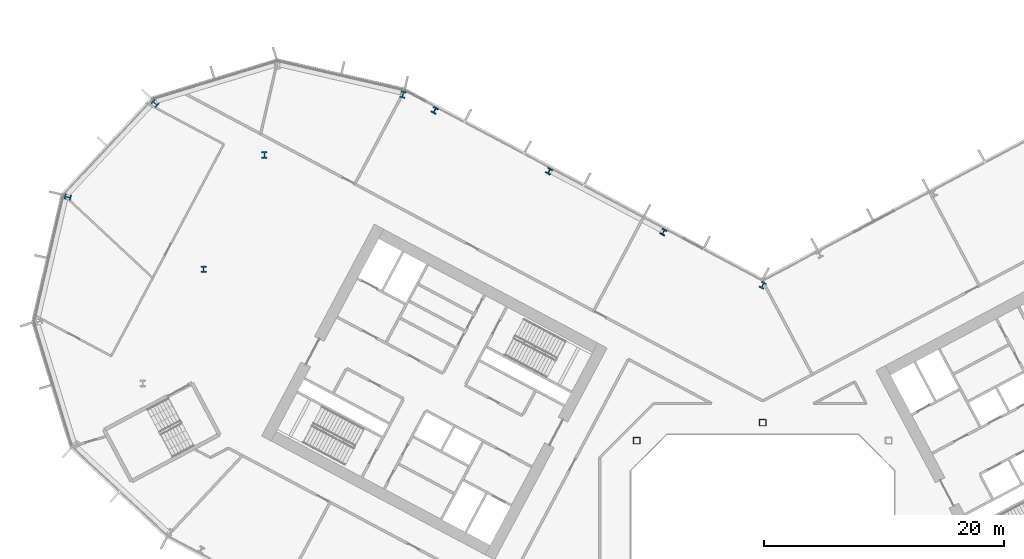
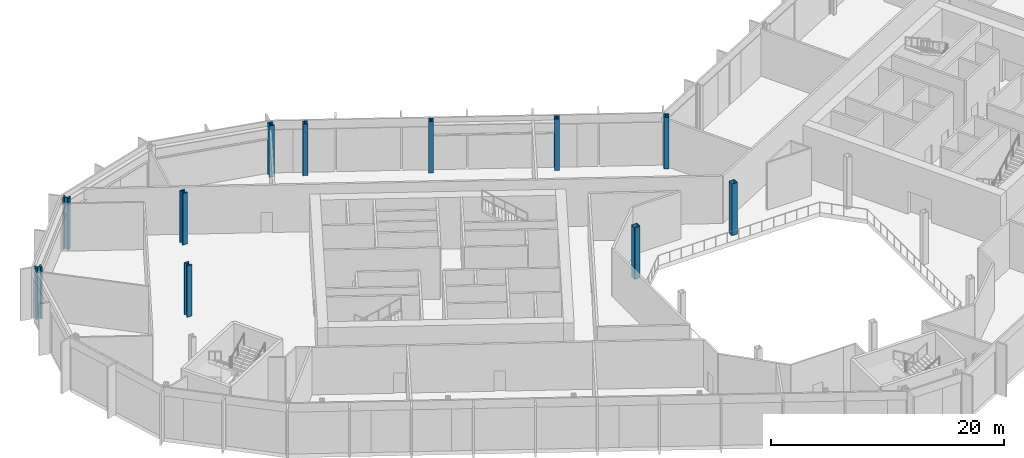
# One storey, part 2 of 32: 11 columns.
"""IFC4 building model written with IfcOpenShell, lengths in metres."""

import ifcopenshell
import ifcopenshell.guid

model = None  # the IFC model being written
_history = None  # IfcOwnerHistory: only IFC2X3 demands one
_inside = {}  # id of a spatial element -> (the spatial element, [elements in it])
_under = {}  # id of a project, library or spatial element -> (it, [spatial elements below it])
_declared = {}  # id of a project -> (the project, [libraries it declares])
_typed = {}  # id of a type object -> (the type object, [elements of that type])
_made_of = {}  # id of a material, layer set ... -> (it, [elements and type objects made of it])


def new_model(schema):
    """Start an empty IFC model of exactly this schema.

    Asked for "IFC4X3", IfcOpenShell would pick the latest addendum, in which some entities
    have other attributes; the version numbers below select the first issue.
    IFC2X3 requires an IfcOwnerHistory on every rooted entity: one is made here for all.
    """
    global model, _history
    if schema == "IFC4X3":
        model = ifcopenshell.file(schema_version=(4, 3, 0, 0))
    else:
        model = ifcopenshell.file(schema=schema)
    _inside.clear()
    _under.clear()
    _declared.clear()
    _typed.clear()
    _made_of.clear()
    _history = None
    if model.schema == "IFC2X3":
        org = make("IfcOrganization", Name="unknown")
        user = make(
            "IfcPersonAndOrganization",
            ThePerson=make("IfcPerson", FamilyName="unknown"),
            TheOrganization=org,
        )
        app = make(
            "IfcApplication",
            ApplicationDeveloper=org,
            Version="unknown",
            ApplicationFullName="unknown",
            ApplicationIdentifier="unknown",
        )
        _history = make(
            "IfcOwnerHistory",
            OwningUser=user,
            OwningApplication=app,
            ChangeAction="ADDED",
            CreationDate=0,
        )
    return model


def make(cls, **values):
    """One entity of the class cls with the attributes given. An attribute that is None is left unset."""
    return model.create_entity(
        cls, **{name: value for name, value in values.items() if value is not None}
    )


def rooted(cls, **values):
    """An entity with a GlobalId (a new one), such as an element, a storey or a relation."""
    return make(cls, GlobalId=ifcopenshell.guid.new(), OwnerHistory=_history, **values)


def si_unit(unit_type, name, prefix=None):
    """IfcSIUnit, for example si_unit("LENGTHUNIT", "METRE", prefix="MILLI")."""
    return make("IfcSIUnit", UnitType=unit_type, Prefix=prefix, Name=name)


def assignment(units):
    """IfcUnitAssignment: the units of a project."""
    return None if units is None else make("IfcUnitAssignment", Units=units)


def point(xyz):
    """IfcCartesianPoint."""
    return None if xyz is None else make("IfcCartesianPoint", Coordinates=xyz)


def direction(xyz):
    """IfcDirection."""
    return None if xyz is None else make("IfcDirection", DirectionRatios=xyz)


def frame(location, z_axis=None, x_axis=None):
    """IfcAxis2Placement3D, a coordinate frame: its origin and axes. An axis left out is left unset."""
    return make(
        "IfcAxis2Placement3D",
        Location=point(location),
        Axis=direction(z_axis),
        RefDirection=direction(x_axis),
    )


def frame_2d(location, x_axis=None):
    """IfcAxis2Placement2D, a coordinate frame in the plane: its origin and x axis."""
    return make(
        "IfcAxis2Placement2D", Location=point(location), RefDirection=direction(x_axis)
    )


def origin():
    """The frame at (0, 0, 0) with its axes left unset."""
    return frame((0.0, 0.0, 0.0))


def origin_2d():
    """The frame at (0, 0) in the plane with its x axis left unset."""
    return frame_2d((0.0, 0.0))


def place(relative_to, where):
    """IfcLocalPlacement: puts the frame where relative to a parent placement (None: the world)."""
    return make(
        "IfcLocalPlacement", PlacementRelTo=relative_to, RelativePlacement=where
    )


def context(
    kind, dimensions, precision=None, world=None, true_north=None, identifier=None
):
    """IfcGeometricRepresentationContext, for example the 3D "Model" context."""
    return make(
        "IfcGeometricRepresentationContext",
        ContextIdentifier=identifier,
        ContextType=kind,
        CoordinateSpaceDimension=dimensions,
        Precision=precision,
        WorldCoordinateSystem=world,
        TrueNorth=true_north,
    )


def subcontext(parent, identifier, kind, view, scale=None):
    """IfcGeometricRepresentationSubContext, for example "Body" below "Model"."""
    return make(
        "IfcGeometricRepresentationSubContext",
        ContextIdentifier=identifier,
        ContextType=kind,
        ParentContext=parent,
        TargetScale=scale,
        TargetView=view,
    )


def project(units=None, contexts=None):
    """IfcProject with its units and contexts."""
    return rooted(
        "IfcProject",
        Name="project",
        RepresentationContexts=contexts,
        UnitsInContext=assignment(units),
    )


def spatial(cls, under=None, at=None, **own):
    """A site, building, storey or space (cls), placed at a placement, below another one or the project."""
    s = rooted(cls, ObjectPlacement=at, **own)
    if under is not None:
        _under.setdefault(under.id(), (under, []))[1].append(s)
    return s


def profile(cls, at=None, kind="AREA", **sizes):
    """A parametric profile (cls). Its sizes go by their IFC names, for example OverallWidth=200.0."""
    return make(cls, ProfileType=kind, Position=at, **sizes)


def hollow_rectangle(**sizes):
    """IfcRectangleHollowProfileDef."""
    return profile("IfcRectangleHollowProfileDef", **sizes)


def i_section(**sizes):
    """IfcIShapeProfileDef."""
    return profile("IfcIShapeProfileDef", **sizes)


def extrude(swept, where, along, depth):
    """IfcExtrudedAreaSolid: the profile swept, set in the frame where, extruded along a direction by depth."""
    return make(
        "IfcExtrudedAreaSolid",
        SweptArea=swept,
        Position=where,
        ExtrudedDirection=direction(along),
        Depth=depth,
    )


def shape(context_of_items, identifier, shape_type, items):
    """IfcShapeRepresentation: the items that make up one representation, for example the "Body"."""
    return make(
        "IfcShapeRepresentation",
        ContextOfItems=context_of_items,
        RepresentationIdentifier=identifier,
        RepresentationType=shape_type,
        Items=items,
    )


def material(Name=None, Category=None):
    """IfcMaterial."""
    return make("IfcMaterial", Name=Name, Category=Category)


def material_profile(
    of_material, cross_section, Name=None, Category=None, Priority=None
):
    """IfcMaterialProfile: a cross section and its material."""
    return make(
        "IfcMaterialProfile",
        Name=Name,
        Material=of_material,
        Profile=cross_section,
        Priority=Priority,
        Category=Category,
    )


def profile_set(profiles, Name=None, composite=None):
    """IfcMaterialProfileSet."""
    return make(
        "IfcMaterialProfileSet",
        Name=Name,
        MaterialProfiles=profiles,
        CompositeProfile=composite,
    )


def made_of(thing, what):
    """Note that an element or type object is made of a material, layer set ...; save() writes the relation."""
    if what is not None:
        _made_of.setdefault(what.id(), (what, []))[1].append(thing)
    return thing


def type_object(cls, material=None, **own):
    """A type object (cls), such as IfcWallType, which elements share."""
    return made_of(rooted(cls, **own), material)


def element(
    cls,
    number,
    at=None,
    inside=None,
    cuts=None,
    type_object=None,
    material=None,
    context=None,
    identifier="Body",
    shape_type=None,
    held_by="IfcProductDefinitionShape",
    body=None,
    shapes=None,
    **own,
):
    """One element of the class cls, such as IfcWall. Its Tag is "e" and its number.

    at: its placement. inside: the storey or other place that contains it. cuts: it is an
    opening in that element (IfcRelVoidsElement). A single representation is given by context,
    identifier, shape_type and body (its items); several are given by shapes. held_by: the class
    of the entity that holds the representations. save() writes the other relations.
    """
    e = rooted(cls, Tag="e%d" % number, ObjectPlacement=at, **own)
    if body is not None:
        shapes = [shape(context, identifier, shape_type, body)]
    if shapes is not None:
        e.Representation = make(held_by, Representations=shapes)
    if inside is not None:
        _inside.setdefault(inside.id(), (inside, []))[1].append(e)
    if cuts is not None:
        rooted(
            "IfcRelVoidsElement", RelatingBuildingElement=cuts, RelatedOpeningElement=e
        )
    if type_object is not None:
        _typed.setdefault(type_object.id(), (type_object, []))[1].append(e)
    return made_of(e, material)


def aggregate(whole, parts):
    """IfcRelAggregates: a whole, such as a stair, and the parts it consists of."""
    return rooted("IfcRelAggregates", RelatingObject=whole, RelatedObjects=parts)


def save(model, path):
    """Write the relations noted so far, then the file.

    IfcRelAggregates (storeys below a building ...), IfcRelContainedInSpatialStructure (elements
    in a storey), IfcRelDefinesByType, IfcRelAssociatesMaterial and IfcRelDeclares: one each for
    every whole, place, type object, material and project.
    """
    for whole, parts in _under.values():
        aggregate(whole, parts)
    for where, things in _inside.values():
        rooted(
            "IfcRelContainedInSpatialStructure",
            RelatedElements=things,
            RelatingStructure=where,
        )
    for kind, things in _typed.values():
        rooted("IfcRelDefinesByType", RelatedObjects=things, RelatingType=kind)
    for what, things in _made_of.values():
        rooted("IfcRelAssociatesMaterial", RelatedObjects=things, RelatingMaterial=what)
    for by, libraries in _declared.values():
        rooted("IfcRelDeclares", RelatingContext=by, RelatedDefinitions=libraries)
    model.write(path)


model = new_model("IFC4")

# Units and contexts
model_context = context("Model", 3, precision=1e-05, world=origin(), true_north=direction((0.0, 1.0)))
body_context = subcontext(model_context, "Body", "Model", "MODEL_VIEW")
ifc_project = project(units=[si_unit("LENGTHUNIT", "METRE"), si_unit("AREAUNIT", "SQUARE_METRE"), si_unit("VOLUMEUNIT", "CUBIC_METRE"), si_unit("PLANEANGLEUNIT", "RADIAN"), si_unit("MASSUNIT", "GRAM", prefix="KILO")], contexts=[model_context])

# Site, building, storey
site_placement = place(None, origin())
site = spatial("IfcSite", under=ifc_project, at=site_placement, CompositionType="ELEMENT")
building_placement = place(site_placement, origin())
building = spatial("IfcBuilding", under=site, at=building_placement, Name="Cormorant Relay Tower", CompositionType="ELEMENT")
storey_placement = place(building_placement, frame((0.0, 0.0, 28.39990234375)))
storey = spatial("IfcBuildingStorey", under=building, at=storey_placement, Name="L05", CompositionType="ELEMENT", Elevation=28.39990234375)

# Columns
ifc_material_1 = material(Name="Steel ASTM A1085 Grade A (Fy 345 MPa)", Category="steel")
ifc_material_profile_1 = material_profile(ifc_material_1, hollow_rectangle(XDim=0.558837890625, YDim=0.558837890625, WallThickness=0.023681640625, InnerFilletRadius=0.01171875, OuterFilletRadius=0.035400390625, at=origin_2d()), Name="HSS559x559x24")
ifc_profile_set_1 = profile_set([ifc_material_profile_1], Name="Steel ASTM A1085 Grade A (Fy 345 MPa)")
column_type_1 = type_object("IfcColumnType", Name="Column HSS559x559x24", PredefinedType="COLUMN", material=ifc_profile_set_1)
for number, where, z_axis, x_axis, name in (
    (1, (-10.5, 10.5, 0.0), (0.0, 0.0, 1.0), (1.0, 0.0, 0.0), "Column L05-022"),
    (2, (0.0, 12.0, 0.0), (0.0, 0.0, 1.0), (1.0, 0.0, 0.0), "Column L05-024"),
):
    element("IfcColumn", number, at=place(storey_placement, frame(where, z_axis=z_axis, x_axis=x_axis)), inside=storey, type_object=column_type_1, Name=name, PredefinedType="COLUMN", context=body_context, shape_type="SweptSolid", body=[
        extrude(hollow_rectangle(XDim=0.558837890625, YDim=0.558837890625, WallThickness=0.023681640625, InnerFilletRadius=0.01171875, OuterFilletRadius=0.035400390625, at=origin_2d()), origin(), (0.0, 0.0, 1.0), 5.400146484375),
    ])
ifc_material_2 = material(Name="Steel ASTM A992 (Fy 345 MPa)", Category="steel")
ifc_material_profile_2 = material_profile(ifc_material_2, i_section(OverallWidth=0.45458984375, OverallDepth=0.569091796875, WebThickness=0.077880859375, FlangeThickness=0.124755859375, FilletRadius=0.015380859375, at=origin_2d()), Name="W360x1086")
ifc_profile_set_2 = profile_set([ifc_material_profile_2], Name="Steel ASTM A992 (Fy 345 MPa)")
column_type_2 = type_object("IfcColumnType", Name="Column W360x1086", PredefinedType="COLUMN", material=ifc_profile_set_2)
for number, where, z_axis, x_axis, name in (
    (3, (0.0, 23.4541015625, 0.0), (0.0, 0.0, 1.0), (-0.882947592859, 0.469471562786, 0.0), "Column L05-032"),
    (4, (-46.6201171875, 24.7880859375, 0.0), (0.0, 0.0, 1.0), (1.0, 0.0, 0.0), "Column L05-034"),
    (5, (-57.93896484375, 30.806884765625, 0.0), (0.0, 0.0, 1.0), (-0.224951054344, -0.974370064785, 0.0), "Column L05-038"),
    (6, (-41.549072265625, 34.323974609375, 0.0), (0.0, 0.0, 1.0), (1.0, 0.0, 0.0), "Column L05-043"),
    (7, (-50.659912109375, 38.613037109375, 0.0), (0.0, 0.0, 1.0), (-0.681998360062, -0.731353701619, 0.0), "Column L05-047"),
    (8, (-29.992919921875, 39.35009765625, 0.0), (0.0, 0.0, 1.0), (-0.974370064785, 0.224951054344, 0.0), "Column L05-048"),
):
    element("IfcColumn", number, at=place(storey_placement, frame(where, z_axis=z_axis, x_axis=x_axis)), inside=storey, type_object=column_type_2, Name=name, PredefinedType="COLUMN", context=body_context, shape_type="SweptSolid", body=[
        extrude(i_section(OverallWidth=0.45458984375, OverallDepth=0.569091796875, WebThickness=0.077880859375, FlangeThickness=0.124755859375, FilletRadius=0.015380859375, at=origin_2d()), origin(), (0.0, 0.0, 1.0), 5.400146484375),
    ])
ifc_material_3 = material(Name="Steel ASTM A992 (Fy 345 MPa)", Category="steel")
ifc_material_profile_3 = material_profile(ifc_material_3, i_section(OverallWidth=0.43701171875, OverallDepth=0.51318359375, WebThickness=0.060546875, FlangeThickness=0.096923828125, FilletRadius=0.015380859375, at=origin_2d()), Name="W360x818")
ifc_profile_set_3 = profile_set([ifc_material_profile_3], Name="Steel ASTM A992 (Fy 345 MPa)")
column_type_3 = type_object("IfcColumnType", Name="Column W360x818", PredefinedType="COLUMN", material=ifc_profile_set_3)
for number, where, z_axis, x_axis, name in (
    (9, (-8.27490234375, 27.889892578125, 0.0), (0.0, 0.0, 1.0), (-0.882947592859, 0.469471562786, 0.0), "Column L05-036"),
    (10, (-17.81103515625, 32.9599609375, 0.0), (0.0, 0.0, 1.0), (-0.882947592859, 0.469471562786, 0.0), "Column L05-041"),
    (11, (-27.346923828125, 38.030029296875, 0.0), (0.0, 0.0, 1.0), (-0.882947592859, 0.469471562786, 0.0), "Column L05-046"),
):
    element("IfcColumn", number, at=place(storey_placement, frame(where, z_axis=z_axis, x_axis=x_axis)), inside=storey, type_object=column_type_3, Name=name, PredefinedType="COLUMN", context=body_context, shape_type="SweptSolid", body=[
        extrude(i_section(OverallWidth=0.43701171875, OverallDepth=0.51318359375, WebThickness=0.060546875, FlangeThickness=0.096923828125, FilletRadius=0.015380859375, at=origin_2d()), origin(), (0.0, 0.0, 1.0), 5.400146484375),
    ])

save(model, "model.ifc")
